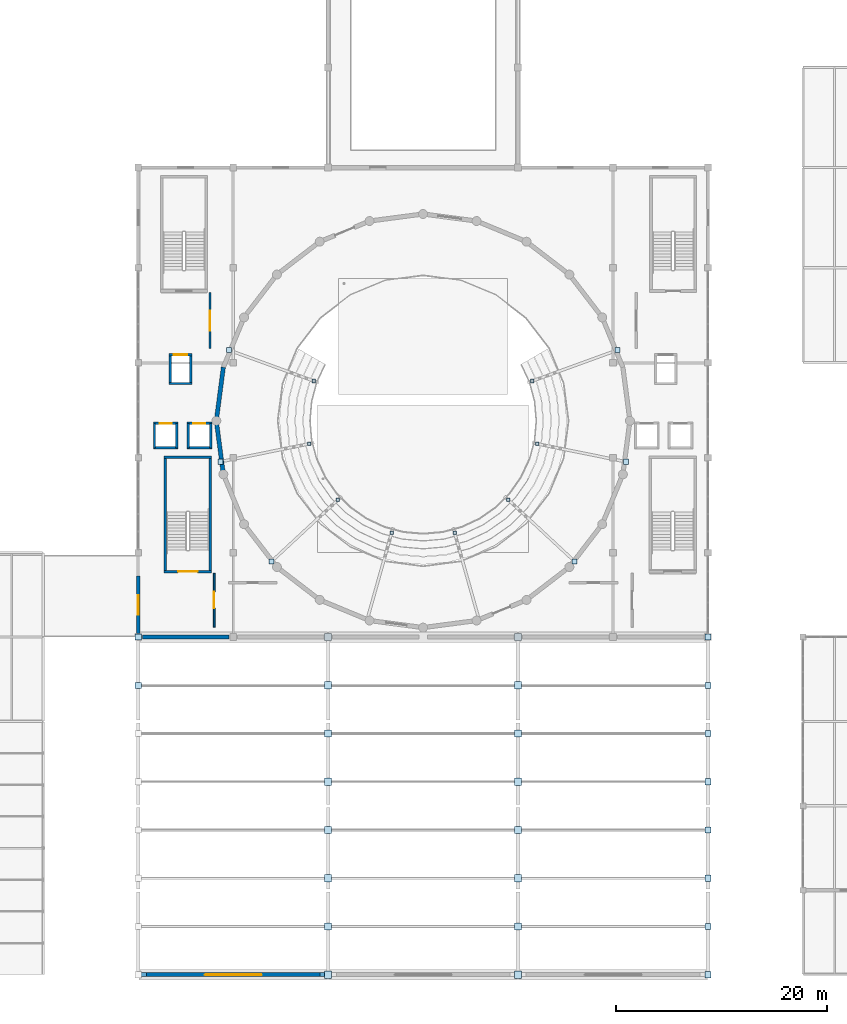
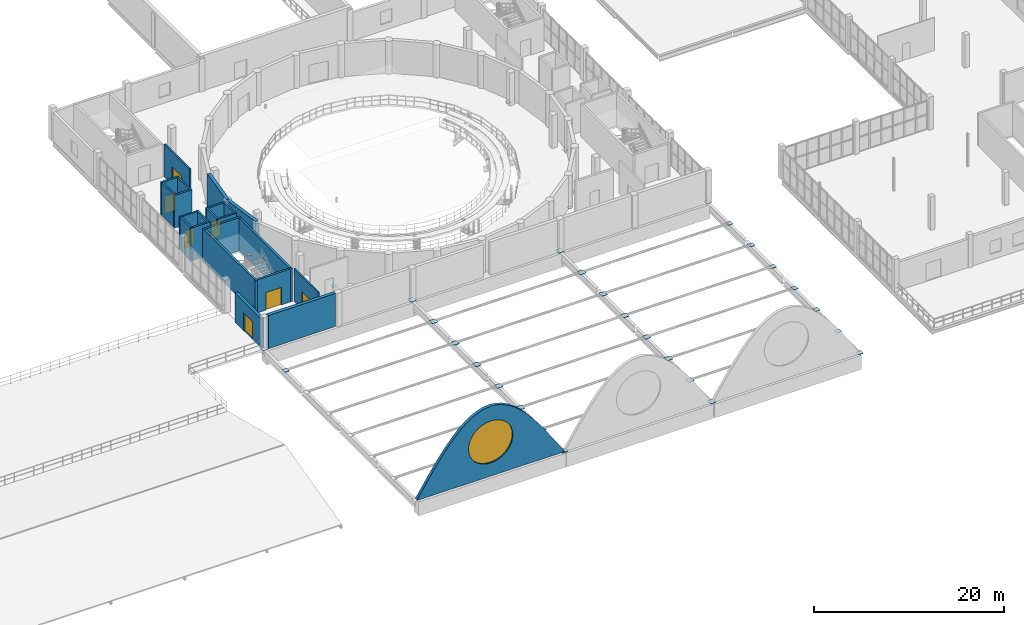
# One storey, part 40 of 54: 40 plates, 23 walls, 7 doors, 1 window, 8 openings.
"""IFC4 building model written with IfcOpenShell, lengths in metres."""

from ifc_helpers import new_model, si_unit, direction, frame, frame_2d, origin, origin_2d, place, context, subcontext, project, spatial, polyline, rectangle, outline, extrude, material, layer, layer_set, type_object, element, fill, save


model = new_model("IFC4")

# Units and contexts
model_context = context("Model", 3, precision=1e-05, world=origin(), true_north=direction((0.0, 1.0)))
body_context = subcontext(model_context, "Body", "Model", "MODEL_VIEW")
ifc_project = project(units=[si_unit("LENGTHUNIT", "METRE"), si_unit("AREAUNIT", "SQUARE_METRE"), si_unit("VOLUMEUNIT", "CUBIC_METRE"), si_unit("PLANEANGLEUNIT", "RADIAN"), si_unit("MASSUNIT", "GRAM", prefix="KILO")], contexts=[model_context])

# Site, building, storey
site_placement = place(None, origin())
site = spatial("IfcSite", under=ifc_project, at=site_placement, CompositionType="ELEMENT")
building_placement = place(site_placement, origin())
building = spatial("IfcBuilding", under=site, at=building_placement, Name="Marnock Terrace Opera House", CompositionType="ELEMENT")
storey_placement = place(building_placement, frame((0.0, 0.0, 19.199951171875)))
storey = spatial("IfcBuildingStorey", under=building, at=storey_placement, Name="L04", CompositionType="ELEMENT", Elevation=19.199951171875)

# Plates
ifc_material_1 = material(Name="Steel Grade 350 (AS/NZS 3679.1)", Category="steel")
ifc_layer_1 = layer(ifc_material_1, 0.031982421875)
ifc_layer_set_1 = layer_set([ifc_layer_1], Name="Steel Grade 350 (AS/NZS 3679.1)")
plate_type_1 = type_object("IfcPlateType", Name="PLT-SHOE-32", PredefinedType="SHEET", material=ifc_layer_set_1)
for number, where, z_axis, x_axis, name in (
    (1, (109.0, 8.0, 0.0), (0.0, 0.0, 1.0), (1.0, 0.0, 0.0), "Barrel vault valley shoe plate X=109 station 1"),
    (2, (109.0, 12.571533203125, 0.0), (0.0, 0.0, 1.0), (1.0, 0.0, 0.0), "Barrel vault valley shoe plate X=109 station 2"),
    (3, (109.0, 17.142822265625, 0.0), (0.0, 0.0, 1.0), (1.0, 0.0, 0.0), "Barrel vault valley shoe plate X=109 station 3"),
    (4, (109.0, 21.71435546875, 0.0), (0.0, 0.0, 1.0), (1.0, 0.0, 0.0), "Barrel vault valley shoe plate X=109 station 4"),
    (5, (109.0, 26.28564453125, 0.0), (0.0, 0.0, 1.0), (1.0, 0.0, 0.0), "Barrel vault valley shoe plate X=109 station 5"),
    (6, (109.0, 30.857177734375, 0.0), (0.0, 0.0, 1.0), (1.0, 0.0, 0.0), "Barrel vault valley shoe plate X=109 station 6"),
    (7, (55.0, 35.428466796875, 0.0), (0.0, 0.0, 1.0), (1.0, 0.0, 0.0), "Barrel vault valley shoe plate X=55 station 7"),
    (8, (109.0, 35.428466796875, 0.0), (0.0, 0.0, 1.0), (1.0, 0.0, 0.0), "Barrel vault valley shoe plate X=109 station 7"),
    (9, (55.0, 40.0, 0.0), (0.0, 0.0, 1.0), (1.0, 0.0, 0.0), "Barrel vault valley shoe plate X=55 station 8"),
    (10, (109.0, 40.0, 0.0), (0.0, 0.0, 1.0), (1.0, 0.0, 0.0), "Barrel vault valley shoe plate X=109 station 8"),
):
    element("IfcPlate", number, at=place(storey_placement, frame(where, z_axis=z_axis, x_axis=x_axis)), inside=storey, type_object=plate_type_1, Name=name, PredefinedType="SHEET", context=body_context, shape_type="SweptSolid", body=[
        extrude(rectangle(XDim=0.580078125, YDim=0.580078125, at=origin_2d()), origin(), (0.0, 0.0, 1.0), 0.031982421875),
    ])
ifc_layer_2 = layer(ifc_material_1, 0.031982421875)
ifc_layer_set_2 = layer_set([ifc_layer_2], Name="Steel Grade 350 (AS/NZS 3679.1)")
plate_type_2 = type_object("IfcPlateType", Name="PLT-SHOE-340x32", PredefinedType="SHEET", material=ifc_layer_set_2)
for number, where, z_axis, x_axis, name in (
    (11, (71.639892578125, 64.270751953125, 0.14306640625), (0.0, 0.0, 1.0), (1.0, 0.0, 0.0), "L04 Auditorium tier support post 1.1 head bearing plate"),
    (12, (71.193603515625, 58.3154296875, 0.14306640625), (0.0, 0.0, 1.0), (1.0, 0.0, 0.0), "L04 Auditorium tier support post 2.1 head bearing plate"),
    (13, (73.918212890625, 53.001220703125, 0.14306640625), (0.0, 0.0, 1.0), (1.0, 0.0, 0.0), "L04 Auditorium tier support post 3.1 head bearing plate"),
    (14, (79.013916015625, 49.88720703125, 0.14306640625), (0.0, 0.0, 1.0), (1.0, 0.0, 0.0), "L04 Auditorium tier support post 4.1 head bearing plate"),
    (15, (84.986083984375, 49.88720703125, 0.14306640625), (0.0, 0.0, 1.0), (1.0, 0.0, 0.0), "L04 Auditorium tier support post 5.1 head bearing plate"),
    (16, (90.081787109375, 53.001220703125, 0.14306640625), (0.0, 0.0, 1.0), (1.0, 0.0, 0.0), "L04 Auditorium tier support post 6.1 head bearing plate"),
    (17, (92.806396484375, 58.3154296875, 0.14306640625), (0.0, 0.0, 1.0), (1.0, 0.0, 0.0), "L04 Auditorium tier support post 7.1 head bearing plate"),
    (18, (92.360107421875, 64.270751953125, 0.14306640625), (0.0, 0.0, 1.0), (1.0, 0.0, 0.0), "L04 Auditorium tier support post 8.1 head bearing plate"),
):
    element("IfcPlate", number, at=place(storey_placement, frame(where, z_axis=z_axis, x_axis=x_axis)), inside=storey, type_object=plate_type_2, Name=name, PredefinedType="SHEET", context=body_context, shape_type="SweptSolid", body=[
        extrude(rectangle(XDim=0.340087890625, YDim=0.340087890625, at=origin_2d()), origin(), (0.0, 0.0, 1.0), 0.031982421875),
    ])
ifc_layer_3 = layer(ifc_material_1, 0.035888671875)
ifc_layer_set_3 = layer_set([ifc_layer_3], Name="Steel Grade 350 (AS/NZS 3679.1)")
plate_type_3 = type_object("IfcPlateType", Name="PLT-SHOE-36", PredefinedType="SHEET", material=ifc_layer_set_3)
for number, where, z_axis, x_axis, name in (
    (19, (73.0, 8.0, 0.0), (0.0, 0.0, 1.0), (1.0, 0.0, 0.0), "Barrel vault valley shoe plate X=73 station 1"),
    (20, (91.0, 8.0, 0.0), (0.0, 0.0, 1.0), (1.0, 0.0, 0.0), "Barrel vault valley shoe plate X=91 station 1"),
    (21, (73.0, 12.571533203125, 0.0), (0.0, 0.0, 1.0), (1.0, 0.0, 0.0), "Barrel vault valley shoe plate X=73 station 2"),
    (22, (91.0, 12.571533203125, 0.0), (0.0, 0.0, 1.0), (1.0, 0.0, 0.0), "Barrel vault valley shoe plate X=91 station 2"),
    (23, (73.0, 17.142822265625, 0.0), (0.0, 0.0, 1.0), (1.0, 0.0, 0.0), "Barrel vault valley shoe plate X=73 station 3"),
    (24, (91.0, 17.142822265625, 0.0), (0.0, 0.0, 1.0), (1.0, 0.0, 0.0), "Barrel vault valley shoe plate X=91 station 3"),
    (25, (73.0, 21.71435546875, 0.0), (0.0, 0.0, 1.0), (1.0, 0.0, 0.0), "Barrel vault valley shoe plate X=73 station 4"),
    (26, (91.0, 21.71435546875, 0.0), (0.0, 0.0, 1.0), (1.0, 0.0, 0.0), "Barrel vault valley shoe plate X=91 station 4"),
    (27, (73.0, 26.28564453125, 0.0), (0.0, 0.0, 1.0), (1.0, 0.0, 0.0), "Barrel vault valley shoe plate X=73 station 5"),
    (28, (91.0, 26.28564453125, 0.0), (0.0, 0.0, 1.0), (1.0, 0.0, 0.0), "Barrel vault valley shoe plate X=91 station 5"),
    (29, (73.0, 30.857177734375, 0.0), (0.0, 0.0, 1.0), (1.0, 0.0, 0.0), "Barrel vault valley shoe plate X=73 station 6"),
    (30, (91.0, 30.857177734375, 0.0), (0.0, 0.0, 1.0), (1.0, 0.0, 0.0), "Barrel vault valley shoe plate X=91 station 6"),
    (31, (73.0, 35.428466796875, 0.0), (0.0, 0.0, 1.0), (1.0, 0.0, 0.0), "Barrel vault valley shoe plate X=73 station 7"),
    (32, (91.0, 35.428466796875, 0.0), (0.0, 0.0, 1.0), (1.0, 0.0, 0.0), "Barrel vault valley shoe plate X=91 station 7"),
    (33, (73.0, 40.0, 0.0), (0.0, 0.0, 1.0), (1.0, 0.0, 0.0), "Barrel vault valley shoe plate X=73 station 8"),
    (34, (91.0, 40.0, 0.0), (0.0, 0.0, 1.0), (1.0, 0.0, 0.0), "Barrel vault valley shoe plate X=91 station 8"),
):
    element("IfcPlate", number, at=place(storey_placement, frame(where, z_axis=z_axis, x_axis=x_axis)), inside=storey, type_object=plate_type_3, Name=name, PredefinedType="SHEET", context=body_context, shape_type="SweptSolid", body=[
        extrude(rectangle(XDim=0.679931640625, YDim=0.679931640625, at=origin_2d()), origin(), (0.0, 0.0, 1.0), 0.035888671875),
    ])
ifc_layer_4 = layer(ifc_material_1, 0.035888671875)
ifc_layer_set_4 = layer_set([ifc_layer_4], Name="Steel Grade 350 (AS/NZS 3679.1)")
plate_type_4 = type_object("IfcPlateType", Name="PLT-SHOE-480x36", PredefinedType="SHEET", material=ifc_layer_set_4)
for number, where, z_axis, x_axis, name in (
    (35, (63.58203125, 67.20361328125, -0.65771484375), (0.0, 0.0, 1.0), (1.0, 0.0, 0.0), "L04 Auditorium raker girder 1 drum shear-wall cast-in embed plate"),
    (36, (62.78857421875, 56.6162109375, -0.65771484375), (0.0, 0.0, 1.0), (1.0, 0.0, 0.0), "L04 Auditorium raker girder 2 drum shear-wall cast-in embed plate"),
    (37, (67.632080078125, 47.168701171875, -0.65771484375), (0.0, 0.0, 1.0), (1.0, 0.0, 0.0), "L04 Auditorium raker girder 3 drum shear-wall cast-in embed plate"),
    (38, (96.367919921875, 47.168701171875, -0.65771484375), (0.0, 0.0, 1.0), (1.0, 0.0, 0.0), "L04 Auditorium raker girder 6 drum shear-wall cast-in embed plate"),
    (39, (101.21142578125, 56.6162109375, -0.65771484375), (0.0, 0.0, 1.0), (1.0, 0.0, 0.0), "L04 Auditorium raker girder 7 drum shear-wall cast-in embed plate"),
    (40, (100.41796875, 67.20361328125, -0.65771484375), (0.0, 0.0, 1.0), (1.0, 0.0, 0.0), "L04 Auditorium raker girder 8 drum shear-wall cast-in embed plate"),
):
    element("IfcPlate", number, at=place(storey_placement, frame(where, z_axis=z_axis, x_axis=x_axis)), inside=storey, type_object=plate_type_4, Name=name, PredefinedType="SHEET", context=body_context, shape_type="SweptSolid", body=[
        extrude(rectangle(XDim=0.47998046875, YDim=0.47998046875, at=origin_2d()), origin(), (0.0, 0.0, 1.0), 0.035888671875),
    ])

# Wall, opening, door
ifc_material_2 = material(Name="Basket Range sandstone ashlar masonry", Category="masonry")
ifc_layer_5 = layer(ifc_material_2, 0.364990234375)
ifc_layer_set_5 = layer_set([ifc_layer_5], Name="Basket Range sandstone ashlar masonry")
wall_type_1 = type_object("IfcWallType", Name="EW-ASHLAR-365", PredefinedType="SOLIDWALL", material=ifc_layer_set_5)
wall_1_placement = place(storey_placement, frame((55.0, 40.321044921875, 0.0), z_axis=(0.0, 0.0, 1.0), x_axis=(0.0, 1.0, 0.0)))
wall_1 = element("IfcWall", 41, at=wall_1_placement, inside=storey, type_object=wall_type_1, Name="L04 Belvedere access wall to West Roof Garden", PredefinedType="SOLIDWALL", context=body_context, shape_type="SweptSolid", body=[
    extrude(rectangle(XDim=5.47900390625, YDim=0.364990234375, at=frame_2d((2.739501953125, 0.0))), origin(), (0.0, 0.0, 1.0), 3.7626953125),
])
opening_1_placement = place(wall_1_placement, frame((1.814453125, 0.0, 0.0)))
opening_1 = element("IfcOpeningElement", 42, at=opening_1_placement, cuts=wall_1, Name="Opening TD-03", PredefinedType="OPENING", context=body_context, shape_type="SweptSolid", body=[
    extrude(rectangle(XDim=1.85009765625, YDim=2.280029296875, at=frame_2d((0.925048828125, 1.14013671875))), frame((0.0, 0.1923828125, 0.0), z_axis=(0.0, -1.0, 0.0), x_axis=(1.0, 0.0, 0.0)), (0.0, 0.0, 1.0), 0.385009765625),
])
ifc_material_3 = material(Name="Anodised architectural bronze aluminium framing", Category="aluminium")
door_type_1 = type_object("IfcDoorType", Name="DT-TERR-1850", OperationType="NOTDEFINED", PredefinedType="DOOR", material=ifc_material_3)
door_1_placement = place(opening_1_placement, origin())
door_1 = element("IfcDoor", 43, at=door_1_placement, inside=storey, type_object=door_type_1, Name="Exterior door TD-03", OperationType="DOUBLE_DOOR_SINGLE_SWING", OverallHeight=2.280029296875, OverallWidth=1.85009765625, PredefinedType="DOOR", context=body_context, shape_type="SweptSolid", body=[
    extrude(rectangle(XDim=1.85009765625, YDim=2.280029296875, at=frame_2d((0.925048828125, 1.14013671875))), frame((0.0, 0.02490234375, 0.0), z_axis=(0.0, -1.0, 0.0), x_axis=(1.0, 0.0, 0.0)), (0.0, 0.0, 1.0), 0.050048828125),
])
fill(opening_1, door_1)

ifc_material_4 = material(Name="Rendered acoustic concrete blockwork", Category="masonry")
ifc_layer_6 = layer(ifc_material_4, 0.175048828125)
ifc_layer_set_6 = layer_set([ifc_layer_6], Name="Rendered acoustic concrete blockwork")
wall_type_2 = type_object("IfcWallType", Name="IW-FIRE-175", PredefinedType="PARTITIONING", material=ifc_layer_set_6)
wall_2_placement = place(storey_placement, frame((62.199951171875, 40.949951171875, 0.0), z_axis=(0.0, 0.0, 1.0), x_axis=(0.0, 1.0, 0.0)))
wall_2 = element("IfcWall", 44, at=wall_2_placement, inside=storey, type_object=wall_type_2, Name="L04 C1 fire-rated lift and stair lobby wall", PredefinedType="PARTITIONING", context=body_context, shape_type="SweptSolid", body=[
    extrude(rectangle(XDim=5.10009765625, YDim=0.175048828125, at=frame_2d((2.550048828125, 0.0))), origin(), (0.0, 0.0, 1.0), 4.199951171875),
])
opening_2_placement = place(wall_2_placement, frame((1.77490234375, 0.0, 0.0)))
opening_2 = element("IfcOpeningElement", 45, at=opening_2_placement, cuts=wall_2, Name="Opening FD-C1-L04", PredefinedType="OPENING", context=body_context, shape_type="SweptSolid", body=[
    extrude(rectangle(XDim=1.550048828125, YDim=2.219970703125, at=frame_2d((0.77490234375, 1.10986328125))), frame((0.0, 0.097412109375, 0.0), z_axis=(0.0, -1.0, 0.0), x_axis=(1.0, 0.0, 0.0)), (0.0, 0.0, 1.0), 0.195068359375),
])
ifc_material_5 = material(Name="Fire-rated acoustic timber-core door assembly", Category="wood")
door_type_2 = type_object("IfcDoorType", Name="DT-LOBBY-1550", OperationType="NOTDEFINED", PredefinedType="DOOR", material=ifc_material_5)
door_2_placement = place(opening_2_placement, origin())
door_2 = element("IfcDoor", 46, at=door_2_placement, inside=storey, type_object=door_type_2, Name="L04 C1 lobby self-closing smoke door", OperationType="SINGLE_SWING_RIGHT", OverallHeight=2.219970703125, OverallWidth=1.550048828125, PredefinedType="DOOR", context=body_context, shape_type="SweptSolid", body=[
    extrude(rectangle(XDim=1.550048828125, YDim=2.219970703125, at=frame_2d((0.77490234375, 1.10986328125))), frame((0.0, 0.02490234375, 0.0), z_axis=(0.0, -1.0, 0.0), x_axis=(1.0, 0.0, 0.0)), (0.0, 0.0, 1.0), 0.050048828125),
])
fill(opening_2, door_2)

ifc_layer_7 = layer(ifc_material_4, 0.195068359375)
ifc_layer_set_7 = layer_set([ifc_layer_7], Name="Rendered acoustic concrete blockwork")
wall_type_3 = type_object("IfcWallType", Name="IW-FIRE-195", PredefinedType="PARTITIONING", material=ifc_layer_set_7)
wall_3_placement = place(storey_placement, frame((61.800048828125, 67.35009765625, 0.0), z_axis=(0.0, 0.0, 1.0), x_axis=(0.0, 1.0, 0.0)))
wall_3 = element("IfcWall", 47, at=wall_3_placement, inside=storey, type_object=wall_type_3, Name="L04 C3 fire-rated lift and stair lobby wall", PredefinedType="PARTITIONING", context=body_context, shape_type="SweptSolid", body=[
    extrude(rectangle(XDim=5.2998046875, YDim=0.195068359375, at=frame_2d((2.64990234375, 0.0))), origin(), (0.0, 0.0, 1.0), 4.199951171875),
])
opening_3_placement = place(wall_3_placement, frame((1.699951171875, 0.0, 0.0)))
opening_3 = element("IfcOpeningElement", 48, at=opening_3_placement, cuts=wall_3, Name="Opening FD-C3-L04", PredefinedType="OPENING", context=body_context, shape_type="SweptSolid", body=[
    extrude(rectangle(XDim=1.89990234375, YDim=2.300048828125, at=frame_2d((0.949951171875, 1.14990234375))), frame((0.0, 0.107421875, 0.0), z_axis=(0.0, -1.0, 0.0), x_axis=(1.0, 0.0, 0.0)), (0.0, 0.0, 1.0), 0.215087890625),
])
door_type_3 = type_object("IfcDoorType", Name="DT-LOBBY-1900", OperationType="NOTDEFINED", PredefinedType="DOOR", material=ifc_material_5)
door_3_placement = place(opening_3_placement, origin())
door_3 = element("IfcDoor", 49, at=door_3_placement, inside=storey, type_object=door_type_3, Name="L04 C3 lobby self-closing smoke door", OperationType="SINGLE_SWING_RIGHT", OverallHeight=2.300048828125, OverallWidth=1.89990234375, PredefinedType="DOOR", context=body_context, shape_type="SweptSolid", body=[
    extrude(rectangle(XDim=1.89990234375, YDim=2.300048828125, at=frame_2d((0.949951171875, 1.14990234375))), frame((0.0, 0.02490234375, 0.0), z_axis=(0.0, -1.0, 0.0), x_axis=(1.0, 0.0, 0.0)), (0.0, 0.0, 1.0), 0.050048828125),
])
fill(opening_3, door_3)

ifc_layer_8 = layer(ifc_material_4, 0.22509765625)
ifc_layer_set_8 = layer_set([ifc_layer_8], Name="Rendered acoustic concrete blockwork")
wall_type_4 = type_object("IfcWallType", Name="IW-SHAFT-225", PredefinedType="SOLIDWALL", material=ifc_layer_set_8)
wall_4_placement = place(storey_placement, frame((56.427490234375, 60.260009765625, 0.0), z_axis=(0.0, 0.0, 1.0), x_axis=(1.0, 0.0, 0.0)))
wall_4 = element("IfcWall", 50, at=wall_4_placement, inside=storey, type_object=wall_type_4, Name="L04 Lift PL-01 front shaft wall", PredefinedType="SOLIDWALL", context=body_context, shape_type="SweptSolid", body=[
    extrude(rectangle(XDim=2.344970703125, YDim=0.22509765625, at=frame_2d((1.17236328125, 0.0))), origin(), (0.0, 0.0, 1.0), 4.199951171875),
])
opening_4_placement = place(wall_4_placement, frame((0.597412109375, 0.0, 0.0)))
opening_4 = element("IfcOpeningElement", 51, at=opening_4_placement, cuts=wall_4, Name="Opening LD-PL-01-L04", PredefinedType="OPENING", context=body_context, shape_type="SweptSolid", body=[
    extrude(rectangle(XDim=1.14990234375, YDim=2.199951171875, at=frame_2d((0.574951171875, 1.10009765625))), frame((0.0, 0.12255859375, 0.0), z_axis=(0.0, -1.0, 0.0), x_axis=(1.0, 0.0, 0.0)), (0.0, 0.0, 1.0), 0.2451171875),
])
ifc_material_6 = material(Name="Brushed stainless steel landing door assembly", Category="steel")
door_type_4 = type_object("IfcDoorType", Name="DT-LIFT-1150", OperationType="NOTDEFINED", PredefinedType="DOOR", material=ifc_material_6)
door_4_placement = place(opening_4_placement, origin())
door_4 = element("IfcDoor", 52, at=door_4_placement, inside=storey, type_object=door_type_4, Name="L04 Lift PL-01 sliding landing door", OperationType="DOUBLE_DOOR_SLIDING", OverallHeight=2.199951171875, OverallWidth=1.14990234375, PredefinedType="DOOR", context=body_context, shape_type="SweptSolid", body=[
    extrude(rectangle(XDim=1.14990234375, YDim=2.199951171875, at=frame_2d((0.574951171875, 1.10009765625))), frame((0.0, 0.02490234375, 0.0), z_axis=(0.0, -1.0, 0.0), x_axis=(1.0, 0.0, 0.0)), (0.0, 0.0, 1.0), 0.050048828125),
])
fill(opening_4, door_4)

# Walls
wall_5_placement = place(storey_placement, frame((56.427490234375, 57.93994140625, 0.0), z_axis=(0.0, 0.0, 1.0), x_axis=(1.0, 0.0, 0.0)))
element("IfcWall", 53, at=wall_5_placement, inside=storey, type_object=wall_type_4, Name="L04 Lift PL-01 rear shaft wall", PredefinedType="SOLIDWALL", context=body_context, shape_type="SweptSolid", body=[
    extrude(rectangle(XDim=2.344970703125, YDim=0.22509765625, at=frame_2d((1.17236328125, 0.0))), origin(), (0.0, 0.0, 1.0), 4.199951171875),
])
for number, where, z_axis, x_axis, name in (
    (54, (56.5400390625, 57.93994140625, 0.0), (0.0, 0.0, 1.0), (0.0, 1.0, 0.0), "L04 Lift PL-01 west shaft wall"),
    (55, (58.659912109375, 57.93994140625, 0.0), (0.0, 0.0, 1.0), (0.0, 1.0, 0.0), "L04 Lift PL-01 east shaft wall"),
):
    element("IfcWall", number, at=place(storey_placement, frame(where, z_axis=z_axis, x_axis=x_axis)), inside=storey, type_object=wall_type_4, Name=name, PredefinedType="SOLIDWALL", context=body_context, shape_type="SweptSolid", body=[
        extrude(rectangle(XDim=2.320068359375, YDim=0.22509765625, at=frame_2d((1.16015625, 0.0))), origin(), (0.0, 0.0, 1.0), 4.199951171875),
    ])

# Wall, opening, door
wall_6_placement = place(storey_placement, frame((59.62744140625, 60.260009765625, 0.0), z_axis=(0.0, 0.0, 1.0), x_axis=(1.0, 0.0, 0.0)))
wall_6 = element("IfcWall", 56, at=wall_6_placement, inside=storey, type_object=wall_type_4, Name="L04 Lift PL-02 front shaft wall", PredefinedType="SOLIDWALL", context=body_context, shape_type="SweptSolid", body=[
    extrude(rectangle(XDim=2.344970703125, YDim=0.22509765625, at=frame_2d((1.17236328125, 0.0))), origin(), (0.0, 0.0, 1.0), 4.199951171875),
])
opening_5_placement = place(wall_6_placement, frame((0.597412109375, 0.0, 0.0)))
opening_5 = element("IfcOpeningElement", 57, at=opening_5_placement, cuts=wall_6, Name="Opening LD-PL-02-L04", PredefinedType="OPENING", context=body_context, shape_type="SweptSolid", body=[
    extrude(rectangle(XDim=1.14990234375, YDim=2.199951171875, at=frame_2d((0.574951171875, 1.10009765625))), frame((0.0, 0.12255859375, 0.0), z_axis=(0.0, -1.0, 0.0), x_axis=(1.0, 0.0, 0.0)), (0.0, 0.0, 1.0), 0.2451171875),
])
door_5_placement = place(opening_5_placement, origin())
door_5 = element("IfcDoor", 58, at=door_5_placement, inside=storey, type_object=door_type_4, Name="L04 Lift PL-02 sliding landing door", OperationType="DOUBLE_DOOR_SLIDING", OverallHeight=2.199951171875, OverallWidth=1.14990234375, PredefinedType="DOOR", context=body_context, shape_type="SweptSolid", body=[
    extrude(rectangle(XDim=1.14990234375, YDim=2.199951171875, at=frame_2d((0.574951171875, 1.10009765625))), frame((0.0, 0.02490234375, 0.0), z_axis=(0.0, -1.0, 0.0), x_axis=(1.0, 0.0, 0.0)), (0.0, 0.0, 1.0), 0.050048828125),
])
fill(opening_5, door_5)

# Walls
wall_7_placement = place(storey_placement, frame((59.62744140625, 57.93994140625, 0.0), z_axis=(0.0, 0.0, 1.0), x_axis=(1.0, 0.0, 0.0)))
element("IfcWall", 59, at=wall_7_placement, inside=storey, type_object=wall_type_4, Name="L04 Lift PL-02 rear shaft wall", PredefinedType="SOLIDWALL", context=body_context, shape_type="SweptSolid", body=[
    extrude(rectangle(XDim=2.344970703125, YDim=0.22509765625, at=frame_2d((1.17236328125, 0.0))), origin(), (0.0, 0.0, 1.0), 4.199951171875),
])
for number, where, z_axis, x_axis, name in (
    (60, (59.739990234375, 57.93994140625, 0.0), (0.0, 0.0, 1.0), (0.0, 1.0, 0.0), "L04 Lift PL-02 west shaft wall"),
    (61, (61.860107421875, 57.93994140625, 0.0), (0.0, 0.0, 1.0), (0.0, 1.0, 0.0), "L04 Lift PL-02 east shaft wall"),
):
    element("IfcWall", number, at=place(storey_placement, frame(where, z_axis=z_axis, x_axis=x_axis)), inside=storey, type_object=wall_type_4, Name=name, PredefinedType="SOLIDWALL", context=body_context, shape_type="SweptSolid", body=[
        extrude(rectangle(XDim=2.320068359375, YDim=0.22509765625, at=frame_2d((1.16015625, 0.0))), origin(), (0.0, 0.0, 1.0), 4.199951171875),
    ])

# Wall, opening, door
wall_8_placement = place(storey_placement, frame((57.927490234375, 66.760009765625, 0.0), z_axis=(0.0, 0.0, 1.0), x_axis=(1.0, 0.0, 0.0)))
wall_8 = element("IfcWall", 62, at=wall_8_placement, inside=storey, type_object=wall_type_4, Name="L04 Lift EL-01 front shaft wall", PredefinedType="SOLIDWALL", context=body_context, shape_type="SweptSolid", body=[
    extrude(rectangle(XDim=2.14501953125, YDim=0.22509765625, at=frame_2d((1.072509765625, 0.0))), origin(), (0.0, 0.0, 1.0), 4.199951171875),
])
opening_6_placement = place(wall_8_placement, frame((0.422607421875, 0.0, 0.0)))
opening_6 = element("IfcOpeningElement", 63, at=opening_6_placement, cuts=wall_8, Name="Opening LD-EL-01-L04", PredefinedType="OPENING", context=body_context, shape_type="SweptSolid", body=[
    extrude(rectangle(XDim=1.300048828125, YDim=2.25, at=frame_2d((0.64990234375, 1.125))), frame((0.0, 0.12255859375, 0.0), z_axis=(0.0, -1.0, 0.0), x_axis=(1.0, 0.0, 0.0)), (0.0, 0.0, 1.0), 0.2451171875),
])
door_type_5 = type_object("IfcDoorType", Name="DT-LIFT-1300", OperationType="NOTDEFINED", PredefinedType="DOOR", material=ifc_material_6)
door_6_placement = place(opening_6_placement, origin())
door_6 = element("IfcDoor", 64, at=door_6_placement, inside=storey, type_object=door_type_5, Name="L04 Lift EL-01 sliding landing door", OperationType="DOUBLE_DOOR_SLIDING", OverallHeight=2.25, OverallWidth=1.300048828125, PredefinedType="DOOR", context=body_context, shape_type="SweptSolid", body=[
    extrude(rectangle(XDim=1.300048828125, YDim=2.25, at=frame_2d((0.64990234375, 1.125))), frame((0.0, 0.02490234375, 0.0), z_axis=(0.0, -1.0, 0.0), x_axis=(1.0, 0.0, 0.0)), (0.0, 0.0, 1.0), 0.050048828125),
])
fill(opening_6, door_6)

# Walls
wall_9_placement = place(storey_placement, frame((57.927490234375, 64.0400390625, 0.0), z_axis=(0.0, 0.0, 1.0), x_axis=(1.0, 0.0, 0.0)))
element("IfcWall", 65, at=wall_9_placement, inside=storey, type_object=wall_type_4, Name="L04 Lift EL-01 rear shaft wall", PredefinedType="SOLIDWALL", context=body_context, shape_type="SweptSolid", body=[
    extrude(rectangle(XDim=2.14501953125, YDim=0.22509765625, at=frame_2d((1.072509765625, 0.0))), origin(), (0.0, 0.0, 1.0), 4.199951171875),
])
for number, where, z_axis, x_axis, name in (
    (66, (58.0400390625, 64.0400390625, 0.0), (0.0, 0.0, 1.0), (0.0, 1.0, 0.0), "L04 Lift EL-01 west shaft wall"),
    (67, (59.9599609375, 64.0400390625, 0.0), (0.0, 0.0, 1.0), (0.0, 1.0, 0.0), "L04 Lift EL-01 east shaft wall"),
):
    element("IfcWall", number, at=place(storey_placement, frame(where, z_axis=z_axis, x_axis=x_axis)), inside=storey, type_object=wall_type_4, Name=name, PredefinedType="SOLIDWALL", context=body_context, shape_type="SweptSolid", body=[
        extrude(rectangle(XDim=2.719970703125, YDim=0.22509765625, at=frame_2d((1.35986328125, 0.0))), origin(), (0.0, 0.0, 1.0), 4.199951171875),
    ])

# Wall, opening, door
ifc_material_7 = material(Name="Concrete N40 (f'c = 40 MPa)", Category="concrete")
ifc_layer_9 = layer(ifc_material_7, 0.25)
ifc_layer_set_9 = layer_set([ifc_layer_9], Name="Concrete N40 (f'c = 40 MPa)")
wall_type_5 = type_object("IfcWallType", Name="SW-CORE-250", PredefinedType="SHEAR", material=ifc_layer_set_9)
wall_10_placement = place(storey_placement, frame((57.43505859375, 46.199951171875, 0.0), z_axis=(0.0, 0.0, 1.0), x_axis=(1.0, 0.0, 0.0)))
wall_10 = element("IfcWall", 68, at=wall_10_placement, inside=storey, type_object=wall_type_5, Name="L04 Core C1 FRL 120/120/120 shear wall S", PredefinedType="SHEAR", context=body_context, shape_type="SweptSolid", body=[
    extrude(rectangle(XDim=4.530029296875, YDim=0.25, at=frame_2d((2.26513671875, 0.0))), origin(), (0.0, 0.0, 1.0), 4.25),
])
opening_7_placement = place(wall_10_placement, frame((1.340087890625, 0.0, 0.0)))
opening_7 = element("IfcOpeningElement", 69, at=opening_7_placement, cuts=wall_10, Name="Opening SD-C1-L04", PredefinedType="OPENING", context=body_context, shape_type="SweptSolid", body=[
    extrude(rectangle(XDim=1.85009765625, YDim=2.25, at=frame_2d((0.925048828125, 1.125))), frame((0.0, 0.135009765625, 0.0), z_axis=(0.0, -1.0, 0.0), x_axis=(1.0, 0.0, 0.0)), (0.0, 0.0, 1.0), 0.27001953125),
])
door_type_6 = type_object("IfcDoorType", Name="DT-STAIR-1850", OperationType="NOTDEFINED", PredefinedType="DOOR", material=ifc_material_5)
door_7_placement = place(opening_7_placement, origin())
door_7 = element("IfcDoor", 70, at=door_7_placement, inside=storey, type_object=door_type_6, Name="L04 Stair ST-01 fire-isolated exit door", OperationType="SINGLE_SWING_LEFT", OverallHeight=2.25, OverallWidth=1.85009765625, PredefinedType="DOOR", context=body_context, shape_type="SweptSolid", body=[
    extrude(rectangle(XDim=1.85009765625, YDim=2.25, at=frame_2d((0.925048828125, 1.125))), frame((0.0, 0.02490234375, 0.0), z_axis=(0.0, -1.0, 0.0), x_axis=(1.0, 0.0, 0.0)), (0.0, 0.0, 1.0), 0.050048828125),
])
fill(opening_7, door_7)

# Walls
wall_11_placement = place(storey_placement, frame((57.43505859375, 57.0400390625, 0.0), z_axis=(0.0, 0.0, 1.0), x_axis=(1.0, 0.0, 0.0)))
element("IfcWall", 71, at=wall_11_placement, inside=storey, type_object=wall_type_5, Name="L04 Core C1 FRL 120/120/120 shear wall N", PredefinedType="SHEAR", context=body_context, shape_type="SweptSolid", body=[
    extrude(rectangle(XDim=4.530029296875, YDim=0.25, at=frame_2d((2.26513671875, 0.0))), origin(), (0.0, 0.0, 1.0), 4.25),
])
for number, where, z_axis, x_axis, name in (
    (72, (57.56005859375, 46.074951171875, 0.0), (0.0, 0.0, 1.0), (0.0, 1.0, 0.0), "L04 Core C1 FRL 120/120/120 shear wall W"),
    (73, (61.840087890625, 46.074951171875, 0.0), (0.0, 0.0, 1.0), (0.0, 1.0, 0.0), "L04 Core C1 FRL 120/120/120 shear wall E"),
):
    element("IfcWall", number, at=place(storey_placement, frame(where, z_axis=z_axis, x_axis=x_axis)), inside=storey, type_object=wall_type_5, Name=name, PredefinedType="SHEAR", context=body_context, shape_type="SweptSolid", body=[
        extrude(rectangle(XDim=11.090087890625, YDim=0.25, at=frame_2d((5.544921875, 0.0))), origin(), (0.0, 0.0, 1.0), 4.25),
    ])
ifc_material_8 = material(Name="Concrete N50 (f'c = 50 MPa)", Category="concrete")
ifc_layer_10 = layer(ifc_material_8, 0.39990234375)
ifc_layer_set_10 = layer_set([ifc_layer_10], Name="Concrete N50 (f'c = 50 MPa)")
wall_type_6 = type_object("IfcWallType", Name="SW-DRUM-400", PredefinedType="SHEAR", material=ifc_layer_set_10)
for number, where, z_axis, x_axis, name in (
    (74, (63.068115234375, 65.572998046875, 0.0), (0.0, 0.0, 1.0), (-0.130591512704, -0.99143625958, 0.0), "L04 cylindrical auditorium drum shear wall 12"),
    (75, (62.39990234375, 60.5, 0.0), (0.0, 0.0, 1.0), (0.130591512704, -0.99143625958, 0.0), "L04 cylindrical auditorium drum shear wall 13"),
):
    element("IfcWall", number, at=place(storey_placement, frame(where, z_axis=z_axis, x_axis=x_axis)), inside=storey, type_object=wall_type_6, Name=name, PredefinedType="SHEAR", context=body_context, shape_type="SweptSolid", body=[
        extrude(rectangle(XDim=5.11669921875, YDim=0.39990234375, at=frame_2d((2.558349609375, 0.0))), origin(), (0.0, 0.0, 1.0), 4.25),
    ])
wall_12_placement = place(storey_placement, frame((55.39990234375, 40.0, 0.0), z_axis=(0.0, 0.0, 1.0), x_axis=(1.0, 0.0, 0.0)))
element("IfcWall", 76, at=wall_12_placement, inside=storey, type_object=wall_type_6, Name="L04 Drum block south structural diaphragm wall", PredefinedType="SHEAR", context=body_context, shape_type="SweptSolid", body=[
    extrude(rectangle(XDim=8.2001953125, YDim=0.39990234375, at=frame_2d((4.10009765625, 0.0))), origin(), (0.0, 0.0, 1.0), 4.25),
])

# Wall, opening, window
ifc_layer_11 = layer(ifc_material_7, 0.3798828125)
ifc_layer_set_11 = layer_set([ifc_layer_11], Name="Concrete N40 (f'c = 40 MPa)")
wall_type_7 = type_object("IfcWallType", Name="SW-WORK-380", PredefinedType="SHEAR", material=ifc_layer_set_11)
wall_13_placement = place(storey_placement, frame((55.0, 8.0, 0.0), z_axis=(0.0, 0.0, 1.0), x_axis=(1.0, 0.0, 0.0)))
wall_13 = element("IfcWall", 77, at=wall_13_placement, inside=storey, type_object=wall_type_7, Name="Grand Hall south pale-rendered semicircular structural gable 1", PredefinedType="SHEAR", context=body_context, shape_type="SweptSolid", body=[
    extrude(outline(polyline([(0.0, 0.0), (18.0, 0.0), (18.0, 0.0), (17.25, 1.1748046875), (16.5, 2.329345703125), (15.75, 3.4443359375), (15.0, 4.5), (14.25, 5.47900390625), (13.5, 6.364013671875), (12.75, 7.14013671875), (12.0, 7.794189453125), (11.25, 8.31494140625), (10.5, 8.693359375), (9.75, 8.923095703125), (9.0, 9.0), (8.25, 8.923095703125), (7.5, 8.693359375), (6.75, 8.31494140625), (6.0, 7.794189453125), (5.25, 7.14013671875), (4.5, 6.364013671875), (3.75, 5.47900390625), (3.0, 4.5), (2.25, 3.4443359375), (1.5, 2.329345703125), (0.75, 1.1748046875), (0.0, 0.0), (0.0, 0.0)])), frame((0.0, 0.18994140625, 0.0), z_axis=(0.0, -1.0, 0.0), x_axis=(1.0, 0.0, 0.0)), (0.0, 0.0, 1.0), 0.3798828125),
])
opening_8_placement = place(wall_13_placement, frame((6.300048828125, 0.0, 1.699951171875)))
opening_8 = element("IfcOpeningElement", 78, at=opening_8_placement, cuts=wall_13, Name="Opening WT-64", PredefinedType="OPENING", context=body_context, shape_type="SweptSolid", body=[
    extrude(outline(polyline([(5.39990234375, 2.699951171875), (5.34814453125, 3.226806640625), (5.1943359375, 3.733154296875), (4.94482421875, 4.199951171875), (4.609130859375, 4.609130859375), (4.199951171875, 4.94482421875), (3.733154296875, 5.1943359375), (3.226806640625, 5.34814453125), (2.699951171875, 5.39990234375), (2.173095703125, 5.34814453125), (1.666748046875, 5.1943359375), (1.199951171875, 4.94482421875), (0.790771484375, 4.609130859375), (0.455078125, 4.199951171875), (0.20556640625, 3.733154296875), (0.0517578125, 3.226806640625), (0.0, 2.699951171875), (0.0517578125, 2.173095703125), (0.20556640625, 1.666748046875), (0.455078125, 1.199951171875), (0.790771484375, 0.790771484375), (1.199951171875, 0.455078125), (1.666748046875, 0.20556640625), (2.173095703125, 0.0517578125), (2.699951171875, 0.0), (3.226806640625, 0.0517578125), (3.733154296875, 0.20556640625), (4.199951171875, 0.455078125), (4.609130859375, 0.790771484375), (4.94482421875, 1.199951171875), (5.1943359375, 1.666748046875), (5.34814453125, 2.173095703125), (5.39990234375, 2.699951171875)])), frame((0.0, 0.199951171875, 0.0), z_axis=(0.0, -1.0, 0.0), x_axis=(1.0, 0.0, 0.0)), (0.0, 0.0, 1.0), 0.39990234375),
])
ifc_material_9 = material(Name="Double-glazed acoustic low-E laminated glass", Category="glass")
window_type = type_object("IfcWindowType", Name="WT-OCULUS-5400", PartitioningType="SINGLE_PANEL", PredefinedType="WINDOW", material=ifc_material_9)
window_placement = place(opening_8_placement, origin())
window = element("IfcWindow", 79, at=window_placement, inside=storey, type_object=window_type, Name="Grand Hall south gable 5.40 m round oculus window 1", OverallHeight=5.39990234375, OverallWidth=5.39990234375, PartitioningType="SINGLE_PANEL", PredefinedType="WINDOW", context=body_context, shape_type="SweptSolid", body=[
    extrude(outline(polyline([(5.39990234375, 2.699951171875), (5.34814453125, 3.226806640625), (5.1943359375, 3.733154296875), (4.94482421875, 4.199951171875), (4.609130859375, 4.609130859375), (4.199951171875, 4.94482421875), (3.733154296875, 5.1943359375), (3.226806640625, 5.34814453125), (2.699951171875, 5.39990234375), (2.173095703125, 5.34814453125), (1.666748046875, 5.1943359375), (1.199951171875, 4.94482421875), (0.790771484375, 4.609130859375), (0.455078125, 4.199951171875), (0.20556640625, 3.733154296875), (0.0517578125, 3.226806640625), (0.0, 2.699951171875), (0.0517578125, 2.173095703125), (0.20556640625, 1.666748046875), (0.455078125, 1.199951171875), (0.790771484375, 0.790771484375), (1.199951171875, 0.455078125), (1.666748046875, 0.20556640625), (2.173095703125, 0.0517578125), (2.699951171875, 0.0), (3.226806640625, 0.0517578125), (3.733154296875, 0.20556640625), (4.199951171875, 0.455078125), (4.609130859375, 0.790771484375), (4.94482421875, 1.199951171875), (5.1943359375, 1.666748046875), (5.34814453125, 2.173095703125), (5.39990234375, 2.699951171875)])), frame((0.0, 0.030029296875, 0.0), z_axis=(0.0, -1.0, 0.0), x_axis=(1.0, 0.0, 0.0)), (0.0, 0.0, 1.0), 0.06005859375),
])
fill(opening_8, window)

save(model, "model.ifc")
